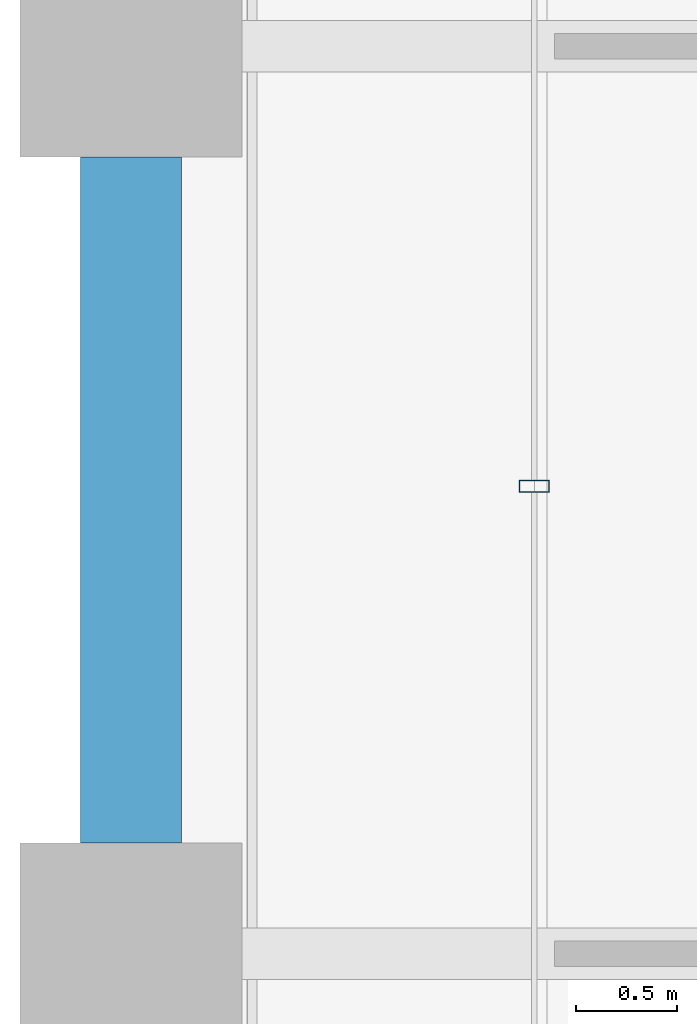
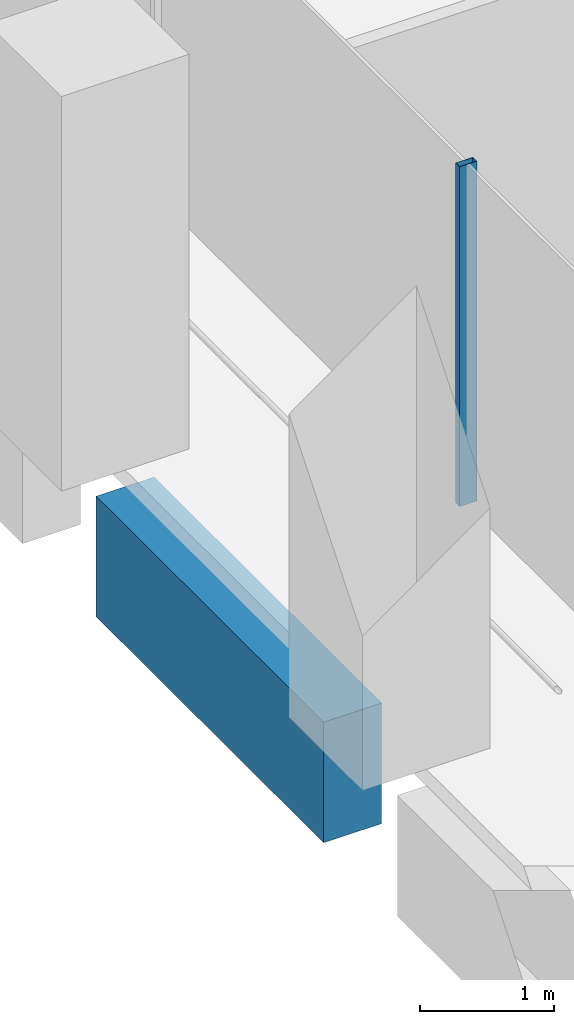
# One storey, part 12 of 56: 1 beam, 1 member, 1 element without a shape of its own.
"""IFC4 building model written with IfcOpenShell, lengths in metres."""

from ifc_helpers import new_model, si_unit, direction, frame, origin, origin_2d, place, context, subcontext, project, spatial, rectangle, hollow_rectangle, extrude, material, material_profile, profile_set, type_object, element, aggregate, save


model = new_model("IFC4")

# Units and contexts
model_context = context("Model", 3, precision=1e-05, world=origin(), true_north=direction((0.0, 1.0)))
body_context = subcontext(model_context, "Body", "Model", "MODEL_VIEW")
ifc_project = project(units=[si_unit("LENGTHUNIT", "METRE"), si_unit("AREAUNIT", "SQUARE_METRE"), si_unit("VOLUMEUNIT", "CUBIC_METRE"), si_unit("PLANEANGLEUNIT", "RADIAN"), si_unit("MASSUNIT", "GRAM", prefix="KILO")], contexts=[model_context])

# Site, building, storey
site_placement = place(None, origin())
site = spatial("IfcSite", under=ifc_project, at=site_placement, CompositionType="ELEMENT")
building_placement = place(site_placement, origin())
building = spatial("IfcBuilding", under=site, at=building_placement, Name="Altepetl Exchange Towers", CompositionType="ELEMENT")
storey_placement = place(building_placement, frame((0.0, 0.0, 72.60009765625)))
storey = spatial("IfcBuildingStorey", under=building, at=storey_placement, Name="L17", CompositionType="ELEMENT", Elevation=72.60009765625)

# Curtain wall, member
ifc_material_1 = material(Name="Aluminium 6063-T6 glazing", Category="aluminium")
curtain_wall_type = type_object("IfcCurtainWallType", Name="Loggia glazing system", PredefinedType="NOTDEFINED", material=ifc_material_1)
curtain_wall_placement = place(storey_placement, origin())
curtain_wall = element("IfcCurtainWall", 1, at=curtain_wall_placement, inside=storey, type_object=curtain_wall_type, Name="CW1 run", PredefinedType="NOTDEFINED")
ifc_material_2 = material(Name="Aluminium 6063-T6", Category="aluminium")
ifc_material_profile_1 = material_profile(ifc_material_2, hollow_rectangle(XDim=0.06005859375, YDim=0.14990234375, WallThickness=0.0029296875, at=origin_2d()), Name="Mullion 60x150 aluminium")
ifc_profile_set_1 = profile_set([ifc_material_profile_1], Name="Aluminium 6063-T6")
member_type = type_object("IfcMemberType", Name="Mullion 60x150 aluminium", PredefinedType="MULLION", material=ifc_profile_set_1)
member_placement = place(storey_placement, frame((29.0, 51.81787109375, 0.0), z_axis=(0.0, 0.0, 1.0), x_axis=(0.0, -1.0, 0.0)))
member = element("IfcMember", 2, at=member_placement, type_object=member_type, Name="MU1 mullion", PredefinedType="MULLION", context=body_context, shape_type="SweptSolid", body=[
    extrude(hollow_rectangle(XDim=0.06005859375, YDim=0.14990234375, WallThickness=0.0029296875, at=origin_2d()), origin(), (0.0, 0.0, 1.0), 3.099853515625),
])
aggregate(curtain_wall, [member])

# Beam
ifc_material_3 = material(Name="Concrete C50/60 precast with tezontle facing", Category="concrete")
ifc_material_profile_2 = material_profile(ifc_material_3, rectangle(XDim=0.5, YDim=1.10009765625, at=origin_2d()), Name="500 x 1100")
ifc_profile_set_2 = profile_set([ifc_material_profile_2], Name="Concrete C50/60 precast with tezontle facing")
beam_type = type_object("IfcBeamType", Name="Spandrel beam 500x1100 tezontle", PredefinedType="SPANDREL", material=ifc_profile_set_2)
beam_placement = place(storey_placement, frame((27.0, 53.449951171875, -0.7001953125), z_axis=(0.0, -1.0, 0.0), x_axis=(1.0, 0.0, 0.0)))
element("IfcBeam", 3, at=beam_placement, inside=storey, type_object=beam_type, Name="sp:A:L17:039", PredefinedType="SPANDREL", context=body_context, shape_type="SweptSolid", body=[
    extrude(rectangle(XDim=0.5, YDim=1.10009765625, at=origin_2d()), origin(), (0.0, 0.0, 1.0), 3.39990234375),
])

save(model, "model.ifc")
